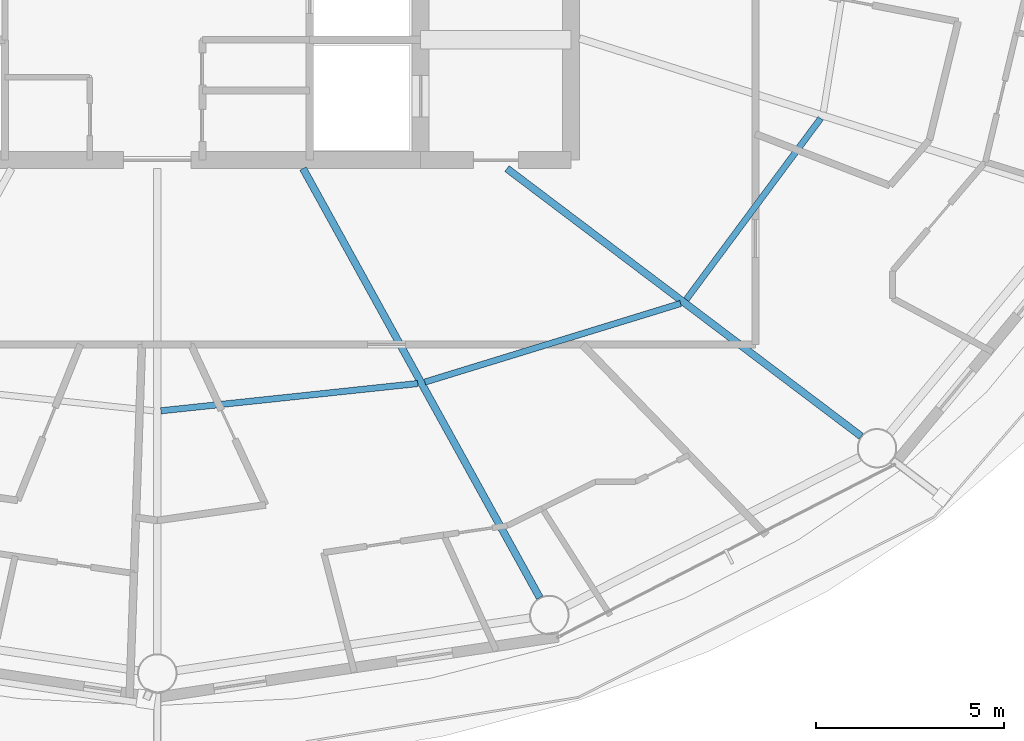
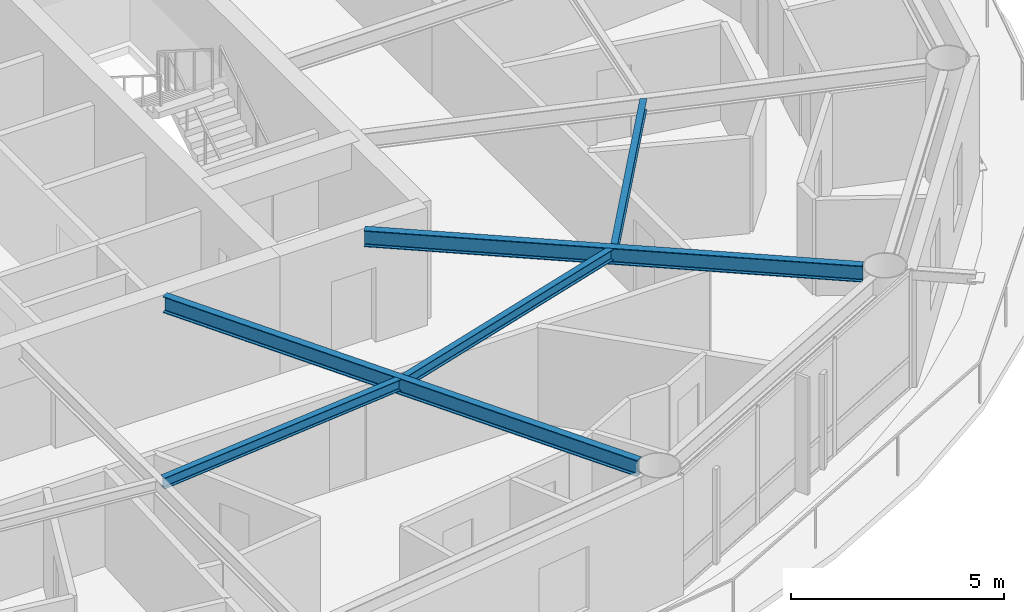
# One storey, part 6 of 28: 5 beams.
"""IFC4 building model written with IfcOpenShell, lengths in metres."""

from ifc_helpers import new_model, si_unit, direction, frame, origin, origin_2d, place, context, subcontext, project, spatial, i_section, extrude, material, material_profile, profile_set, type_object, element, save


model = new_model("IFC4")

# Units and contexts
model_context = context("Model", 3, precision=1e-05, world=origin(), true_north=direction((0.0, 1.0)))
body_context = subcontext(model_context, "Body", "Model", "MODEL_VIEW")
ifc_project = project(units=[si_unit("LENGTHUNIT", "METRE"), si_unit("AREAUNIT", "SQUARE_METRE"), si_unit("VOLUMEUNIT", "CUBIC_METRE"), si_unit("PLANEANGLEUNIT", "RADIAN"), si_unit("MASSUNIT", "GRAM", prefix="KILO")], contexts=[model_context])

# Site, building, storey
site_placement = place(None, origin())
site = spatial("IfcSite", under=ifc_project, at=site_placement, CompositionType="ELEMENT")
building_placement = place(site_placement, origin())
building = spatial("IfcBuilding", under=site, at=building_placement, Name="Sarneth Arch Tower", CompositionType="ELEMENT")
storey_placement = place(building_placement, frame((0.0, 0.0, 154.199951171875)))
storey = spatial("IfcBuildingStorey", under=building, at=storey_placement, Name="L38", CompositionType="ELEMENT", Elevation=154.199951171875)

# Beams
ifc_material_1 = material(Name="Steel S355", Category="steel")
ifc_material_profile_1 = material_profile(ifc_material_1, i_section(OverallWidth=0.1669921875, OverallDepth=0.31689453125, WebThickness=0.007568359375, FlangeThickness=0.01318359375, FilletRadius=0.012939453125, at=origin_2d()), Name="W310x52")
ifc_profile_set_1 = profile_set([ifc_material_profile_1], Name="Steel S355")
beam_type_1 = type_object("IfcBeamType", Name="BM-JOIST-310B", PredefinedType="JOIST", material=ifc_profile_set_1)
beam_1_placement = place(storey_placement, frame((48.095947265625, 28.53515625, 3.221435546875), z_axis=(0.994407831942, 0.105608066799, 0.0), x_axis=(-0.105608066799, 0.994407831942, 0.0)))
element("IfcBeam", 1, at=beam_1_placement, inside=storey, type_object=beam_type_1, Name="L38 Secondary floor joist 13", PredefinedType="JOIST", context=body_context, shape_type="SweptSolid", body=[
    extrude(i_section(OverallWidth=0.1669921875, OverallDepth=0.31689453125, WebThickness=0.007568359375, FlangeThickness=0.01318359375, FilletRadius=0.012939453125, at=origin_2d()), origin(), (0.0, 0.0, 1.0), 6.8681640625),
])
beam_2_placement = place(storey_placement, frame((55.114013671875, 29.299072265625, 3.221435546875), z_axis=(0.955929549608, 0.293596144707, 0.0), x_axis=(-0.293596144707, 0.955929549608, 0.0)))
element("IfcBeam", 2, at=beam_2_placement, inside=storey, type_object=beam_type_1, Name="L38 Secondary floor joist 14", PredefinedType="JOIST", context=body_context, shape_type="SweptSolid", body=[
    extrude(i_section(OverallWidth=0.1669921875, OverallDepth=0.31689453125, WebThickness=0.007568359375, FlangeThickness=0.01318359375, FilletRadius=0.012939453125, at=origin_2d()), origin(), (0.0, 0.0, 1.0), 7.1123046875),
])
beam_3_placement = place(storey_placement, frame((62.062744140625, 31.4931640625, 3.221435546875), z_axis=(0.595933334016, 0.803033910497, 0.0), x_axis=(-0.803033910497, 0.595933334016, 0.0)))
element("IfcBeam", 3, at=beam_3_placement, inside=storey, type_object=beam_type_1, Name="L38 Secondary floor joist 15", PredefinedType="JOIST", context=body_context, shape_type="SweptSolid", body=[
    extrude(i_section(OverallWidth=0.1669921875, OverallDepth=0.31689453125, WebThickness=0.007568359375, FlangeThickness=0.01318359375, FilletRadius=0.012939453125, at=origin_2d()), origin(), (0.0, 0.0, 1.0), 5.99560546875),
])
ifc_material_2 = material(Name="Steel S355", Category="steel")
ifc_material_profile_2 = material_profile(ifc_material_2, i_section(OverallWidth=0.193115234375, OverallDepth=0.466064453125, WebThickness=0.011474609375, FlangeThickness=0.01904296875, FilletRadius=0.01806640625, at=origin_2d()), Name="W460x97")
ifc_profile_set_2 = profile_set([ifc_material_profile_2], Name="Steel S355")
beam_type_2 = type_object("IfcBeamType", Name="BM-RAD-460C", PredefinedType="BEAM", material=ifc_profile_set_2)
beam_4_placement = place(storey_placement, frame((51.875, 34.97509765625, 3.14697265625), z_axis=(0.483004525121, -0.87561785541, 0.0), x_axis=(0.87561785541, 0.483004525121, 0.0)))
element("IfcBeam", 4, at=beam_4_placement, inside=storey, type_object=beam_type_2, Name="L38 Radial floor girder 14", PredefinedType="BEAM", context=body_context, shape_type="SweptSolid", body=[
    extrude(i_section(OverallWidth=0.193115234375, OverallDepth=0.466064453125, WebThickness=0.011474609375, FlangeThickness=0.01904296875, FilletRadius=0.01806640625, at=origin_2d()), origin(), (0.0, 0.0, 1.0), 13.029296875),
])
beam_5_placement = place(storey_placement, frame((57.29541015625, 34.97509765625, 3.14697265625), z_axis=(0.797786205076, -0.602940437349, 0.0), x_axis=(0.602940437349, 0.797786205076, 0.0)))
element("IfcBeam", 5, at=beam_5_placement, inside=storey, type_object=beam_type_2, Name="L38 Radial floor girder 15", PredefinedType="BEAM", context=body_context, shape_type="SweptSolid", body=[
    extrude(i_section(OverallWidth=0.193115234375, OverallDepth=0.466064453125, WebThickness=0.011474609375, FlangeThickness=0.01904296875, FilletRadius=0.01806640625, at=origin_2d()), origin(), (0.0, 0.0, 1.0), 11.806884765625),
])

save(model, "model.ifc")
